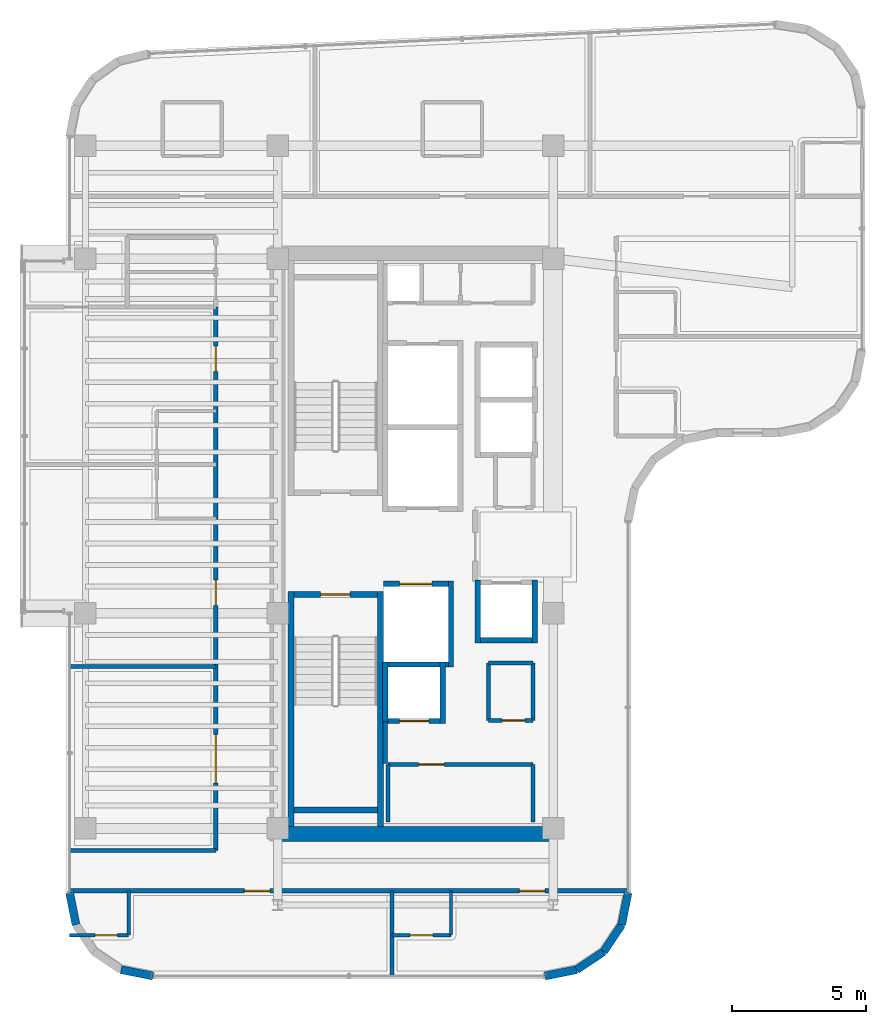
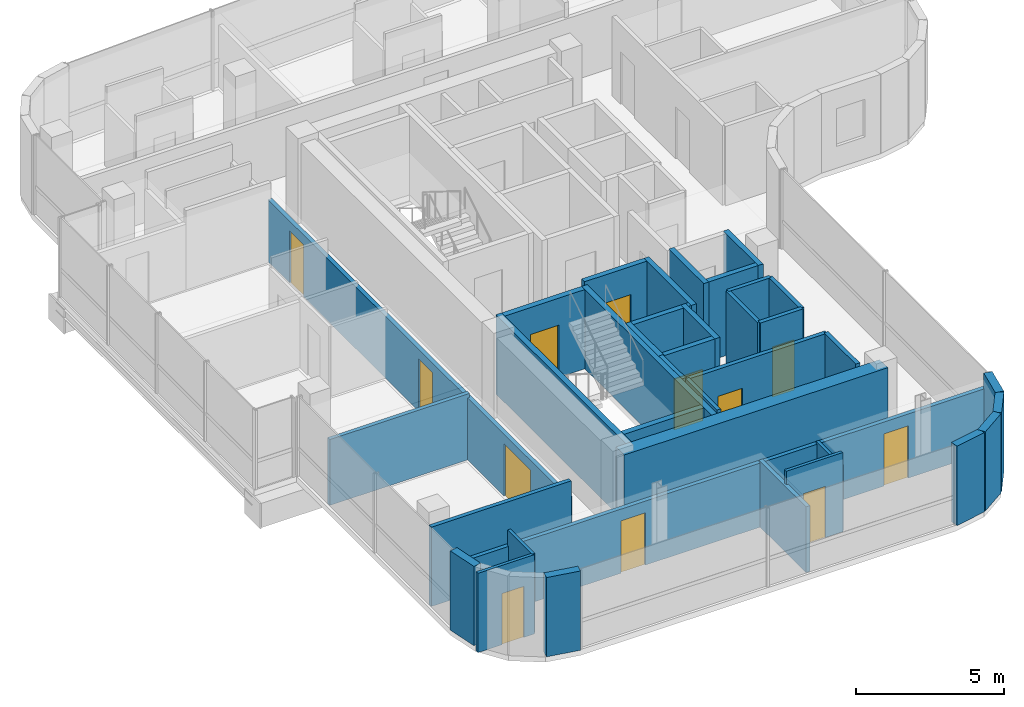
# One storey, part 14 of 20: 37 walls, 12 doors, 12 openings.
"""IFC4 building model written with IfcOpenShell, lengths in metres."""

from ifc_helpers import new_model, si_unit, direction, frame, frame_2d, origin, place, context, subcontext, project, spatial, rectangle, extrude, material, layer, layer_set, type_object, element, fill, save


model = new_model("IFC4")

# Units and contexts
model_context = context("Model", 3, precision=1e-05, world=origin(), true_north=direction((0.0, 1.0)))
body_context = subcontext(model_context, "Body", "Model", "MODEL_VIEW")
ifc_project = project(units=[si_unit("LENGTHUNIT", "METRE"), si_unit("AREAUNIT", "SQUARE_METRE"), si_unit("VOLUMEUNIT", "CUBIC_METRE"), si_unit("PLANEANGLEUNIT", "RADIAN"), si_unit("MASSUNIT", "GRAM", prefix="KILO")], contexts=[model_context])

# Site, building, storey
site_placement = place(None, origin())
site = spatial("IfcSite", under=ifc_project, at=site_placement, CompositionType="ELEMENT")
building_placement = place(site_placement, origin())
building = spatial("IfcBuilding", under=site, at=building_placement, Name="Valdorenza Pilgrim Sanctuary Tower", CompositionType="ELEMENT")
storey_placement = place(building_placement, frame((0.0, 0.0, 240.5)))
storey = spatial("IfcBuildingStorey", under=building, at=storey_placement, Name="L62", CompositionType="ELEMENT", Elevation=240.5)

# Wall
ifc_material_1 = material(Name="Acoustic twin-stud gypsum partition", Category="gypsum")
ifc_layer_1 = layer(ifc_material_1, 0.159912109375, Name="Acoustic twin-stud gypsum partition")
ifc_layer_set_1 = layer_set([ifc_layer_1], Name="Acoustic twin-stud gypsum partition")
wall_type_1 = type_object("IfcWallType", Name="WAL-COR-160", PredefinedType="PARTITIONING", material=ifc_layer_set_1)
wall_1_placement = place(storey_placement, frame((-18.64990234375, -8.179931640625, 0.0), z_axis=(0.0, 0.0, 1.0), x_axis=(0.0, 1.0, 0.0)))
element("IfcWall", 1, at=wall_1_placement, inside=storey, type_object=wall_type_1, Name="L62 Core A South Lift Hall West Wall", PredefinedType="PARTITIONING", context=body_context, shape_type="SweptSolid", body=[
    extrude(rectangle(XDim=1.559814453125, YDim=0.159912109375, at=frame_2d((0.77978515625, 0.0))), origin(), (0.0, 0.0, 1.0), 3.260009765625),
])

# Wall, opening, door
wall_2_placement = place(storey_placement, frame((-18.550048828125, -8.219970703125, 0.0), z_axis=(0.0, 0.0, 1.0), x_axis=(1.0, 0.0, 0.0)))
wall_2 = element("IfcWall", 2, at=wall_2_placement, inside=storey, type_object=wall_type_1, Name="L62 Freed Shaft 1 North Wall", PredefinedType="PARTITIONING", context=body_context, shape_type="SweptSolid", body=[
    extrude(rectangle(XDim=5.400146484375, YDim=0.159912109375, at=frame_2d((2.7001953125, 0.0))), origin(), (0.0, 0.0, 1.0), 3.260009765625),
])
opening_1_placement = place(wall_2_placement, frame((1.14990234375, 0.0, 0.0)))
opening_1 = element("IfcOpeningElement", 3, at=opening_1_placement, cuts=wall_2, Name="Opening DR-UN1", PredefinedType="OPENING", context=body_context, shape_type="SweptSolid", body=[
    extrude(rectangle(XDim=0.949951171875, YDim=2.14990234375, at=frame_2d((0.47509765625, 1.074951171875))), frame((0.0, 0.0947265625, 0.0), z_axis=(0.0, -1.0, 0.0), x_axis=(1.0, 0.0, 0.0)), (0.0, 0.0, 1.0), 0.189697265625),
])
ifc_material_2 = material(Name="Solid-core European oak timber", Category="wood")
door_type_1 = type_object("IfcDoorType", Name="DR-UNIT-950", OperationType="NOTDEFINED", PredefinedType="DOOR", material=ifc_material_2)
door_1_placement = place(opening_1_placement, origin())
door_1 = element("IfcDoor", 4, at=door_1_placement, inside=storey, type_object=door_type_1, Name="L62 Back-of-House Linen Store Door", OperationType="SINGLE_SWING_RIGHT", OverallHeight=2.14990234375, OverallWidth=0.949951171875, PredefinedType="DOOR", context=body_context, shape_type="SweptSolid", body=[
    extrude(rectangle(XDim=0.949951171875, YDim=2.14990234375, at=frame_2d((0.47509765625, 1.074951171875))), frame((0.0, 0.02490234375, 0.0), z_axis=(0.0, -1.0, 0.0), x_axis=(1.0, 0.0, 0.0)), (0.0, 0.0, 1.0), 0.050048828125),
])
fill(opening_1, door_1)

# Wall
wall_3_placement = place(storey_placement, frame((-13.14990234375, -10.35009765625, 0.0), z_axis=(0.0, 0.0, 1.0), x_axis=(0.0, 1.0, 0.0)))
element("IfcWall", 5, at=wall_3_placement, inside=storey, type_object=wall_type_1, Name="L62 Freed Shaft 1 East Wall", PredefinedType="PARTITIONING", context=body_context, shape_type="SweptSolid", body=[
    extrude(rectangle(XDim=2.130126953125, YDim=0.159912109375, at=frame_2d((1.06494140625, 0.0))), origin(), (0.0, 0.0, 1.0), 3.260009765625),
])

# Wall, opening, door
wall_4_placement = place(storey_placement, frame((-14.800048828125, -6.580078125, 0.0), z_axis=(0.0, 0.0, 1.0), x_axis=(1.0, 0.0, 0.0)))
wall_4 = element("IfcWall", 6, at=wall_4_placement, inside=storey, type_object=wall_type_1, Name="L62 Freed Shaft 2 South Wall", PredefinedType="PARTITIONING", context=body_context, shape_type="SweptSolid", body=[
    extrude(rectangle(XDim=1.650146484375, YDim=0.159912109375, at=frame_2d((0.8251953125, 0.0))), origin(), (0.0, 0.0, 1.0), 3.260009765625),
])
opening_2_placement = place(wall_4_placement, frame((0.5, 0.0, 0.0)))
opening_2 = element("IfcOpeningElement", 7, at=opening_2_placement, cuts=wall_4, Name="Opening DR-RS1", PredefinedType="OPENING", context=body_context, shape_type="SweptSolid", body=[
    extrude(rectangle(XDim=0.85009765625, YDim=2.050048828125, at=frame_2d((0.425048828125, 1.02490234375))), frame((0.0, 0.0947265625, 0.0), z_axis=(0.0, -1.0, 0.0), x_axis=(1.0, 0.0, 0.0)), (0.0, 0.0, 1.0), 0.189697265625),
])
ifc_material_3 = material(Name="Painted galvanized steel", Category="steel")
door_type_2 = type_object("IfcDoorType", Name="DR-RSR-850", OperationType="NOTDEFINED", PredefinedType="DOOR", material=ifc_material_3)
door_2_placement = place(opening_2_placement, origin())
door_2 = element("IfcDoor", 8, at=door_2_placement, inside=storey, type_object=door_type_2, Name="L62 Guest Tea Pantry Door", OperationType="SINGLE_SWING_LEFT", OverallHeight=2.050048828125, OverallWidth=0.85009765625, PredefinedType="DOOR", context=body_context, shape_type="SweptSolid", body=[
    extrude(rectangle(XDim=0.85009765625, YDim=2.050048828125, at=frame_2d((0.425048828125, 1.02490234375))), frame((0.0, 0.02490234375, 0.0), z_axis=(0.0, -1.0, 0.0), x_axis=(1.0, 0.0, 0.0)), (0.0, 0.0, 1.0), 0.050048828125),
])
fill(opening_2, door_2)

# Wall
wall_5_placement = place(storey_placement, frame((-13.14990234375, -6.580078125, 0.0), z_axis=(0.0, 0.0, 1.0), x_axis=(0.0, 1.0, 0.0)))
element("IfcWall", 9, at=wall_5_placement, inside=storey, type_object=wall_type_1, Name="L62 Freed Shaft 2 East Wall", PredefinedType="PARTITIONING", context=body_context, shape_type="SweptSolid", body=[
    extrude(rectangle(XDim=2.130126953125, YDim=0.159912109375, at=frame_2d((1.06494140625, 0.0))), origin(), (0.0, 0.0, 1.0), 3.260009765625),
])

# Wall, openings, doors
wall_6_placement = place(storey_placement, frame((-24.949951171875, -11.419921875, 0.0), z_axis=(0.0, 0.0, 1.0), x_axis=(0.0, 1.0, 0.0)))
wall_6 = element("IfcWall", 10, at=wall_6_placement, inside=storey, type_object=wall_type_1, Name="L62 West Wing Corridor Wall", PredefinedType="PARTITIONING", context=body_context, shape_type="SweptSolid", body=[
    extrude(rectangle(XDim=20.219970703125, YDim=0.159912109375, at=frame_2d((10.10986328125, 0.0))), origin(), (0.0, 0.0, 1.0), 2.5439453125),
])
opening_3_placement = place(wall_6_placement, frame((2.52099609375, 0.0, 0.0)))
opening_3 = element("IfcOpeningElement", 11, at=opening_3_placement, cuts=wall_6, Name="Opening DR-HL1", PredefinedType="OPENING", context=body_context, shape_type="SweptSolid", body=[
    extrude(rectangle(XDim=1.800048828125, YDim=2.14990234375, at=frame_2d((0.89990234375, 1.074951171875))), frame((0.0, 0.0947265625, 0.0), z_axis=(0.0, -1.0, 0.0), x_axis=(1.0, 0.0, 0.0)), (0.0, 0.0, 1.0), 0.189697265625),
])
opening_4_placement = place(wall_6_placement, frame((9.1240234375, 0.0, 0.0)))
opening_4 = element("IfcOpeningElement", 12, at=opening_4_placement, cuts=wall_6, Name="Opening DR-UN1", PredefinedType="OPENING", context=body_context, shape_type="SweptSolid", body=[
    extrude(rectangle(XDim=0.949951171875, YDim=2.14990234375, at=frame_2d((0.47509765625, 1.074951171875))), frame((0.0, 0.0947265625, 0.0), z_axis=(0.0, -1.0, 0.0), x_axis=(1.0, 0.0, 0.0)), (0.0, 0.0, 1.0), 0.189697265625),
])
opening_5_placement = place(wall_6_placement, frame((17.81298828125, 0.0, 0.0)))
opening_5 = element("IfcOpeningElement", 13, at=opening_5_placement, cuts=wall_6, Name="Opening DR-UN1", PredefinedType="OPENING", context=body_context, shape_type="SweptSolid", body=[
    extrude(rectangle(XDim=0.949951171875, YDim=2.14990234375, at=frame_2d((0.47509765625, 1.074951171875))), frame((0.0, 0.0947265625, 0.0), z_axis=(0.0, -1.0, 0.0), x_axis=(1.0, 0.0, 0.0)), (0.0, 0.0, 1.0), 0.189697265625),
])
ifc_material_4 = material(Name="Acoustic oak and vision-glass double door", Category="glass")
door_type_3 = type_object("IfcDoorType", Name="DR-HALL-1800", OperationType="NOTDEFINED", PredefinedType="DOOR", material=ifc_material_4)
door_3_placement = place(opening_3_placement, origin())
door_3 = element("IfcDoor", 14, at=door_3_placement, inside=storey, type_object=door_type_3, Name="L62 Pilgrim Language Classroom L62 Door", OperationType="DOUBLE_DOOR_SINGLE_SWING", OverallHeight=2.14990234375, OverallWidth=1.800048828125, PredefinedType="DOOR", context=body_context, shape_type="SweptSolid", body=[
    extrude(rectangle(XDim=1.800048828125, YDim=2.14990234375, at=frame_2d((0.89990234375, 1.074951171875))), frame((0.0, 0.02490234375, 0.0), z_axis=(0.0, -1.0, 0.0), x_axis=(1.0, 0.0, 0.0)), (0.0, 0.0, 1.0), 0.050048828125),
])
fill(opening_3, door_3)
door_4_placement = place(opening_4_placement, frame((0.949951171875, 0.0, 0.0), z_axis=(0.0, 0.0, 1.0), x_axis=(-1.0, 0.0, 0.0)))
door_4 = element("IfcDoor", 15, at=door_4_placement, inside=storey, type_object=door_type_1, Name="L62 Pilgrim Guest Room L62-HW1 Entrance Door", OperationType="SINGLE_SWING_LEFT", OverallHeight=2.14990234375, OverallWidth=0.949951171875, PredefinedType="DOOR", context=body_context, shape_type="SweptSolid", body=[
    extrude(rectangle(XDim=0.949951171875, YDim=2.14990234375, at=frame_2d((0.47509765625, 1.074951171875))), frame((0.0, 0.02490234375, 0.0), z_axis=(0.0, -1.0, 0.0), x_axis=(1.0, 0.0, 0.0)), (0.0, 0.0, 1.0), 0.050048828125),
])
fill(opening_4, door_4)
door_5_placement = place(opening_5_placement, frame((0.949951171875, 0.0, 0.0), z_axis=(0.0, 0.0, 1.0), x_axis=(-1.0, 0.0, 0.0)))
door_5 = element("IfcDoor", 16, at=door_5_placement, inside=storey, type_object=door_type_1, Name="L62 Pilgrim Guest Room L62-HW2 Entrance Door", OperationType="SINGLE_SWING_LEFT", OverallHeight=2.14990234375, OverallWidth=0.949951171875, PredefinedType="DOOR", context=body_context, shape_type="SweptSolid", body=[
    extrude(rectangle(XDim=0.949951171875, YDim=2.14990234375, at=frame_2d((0.47509765625, 1.074951171875))), frame((0.0, 0.02490234375, 0.0), z_axis=(0.0, -1.0, 0.0), x_axis=(1.0, 0.0, 0.0)), (0.0, 0.0, 1.0), 0.050048828125),
])
fill(opening_5, door_5)

wall_7_placement = place(storey_placement, frame((-30.389892578125, -12.919921875, 0.0), z_axis=(0.0, 0.0, 1.0), x_axis=(1.0, 0.0, 0.0)))
wall_7 = element("IfcWall", 17, at=wall_7_placement, inside=storey, type_object=wall_type_1, Name="L62 South Wing Corridor Wall", PredefinedType="PARTITIONING", context=body_context, shape_type="SweptSolid", body=[
    extrude(rectangle(XDim=20.77978515625, YDim=0.159912109375, at=frame_2d((10.389892578125, 0.0))), origin(), (0.0, 0.0, 1.0), 2.634033203125),
])
opening_6_placement = place(wall_7_placement, frame((6.5, 0.0, 0.0)))
opening_6 = element("IfcOpeningElement", 18, at=opening_6_placement, cuts=wall_7, Name="Opening DR-UN1", PredefinedType="OPENING", context=body_context, shape_type="SweptSolid", body=[
    extrude(rectangle(XDim=0.949951171875, YDim=2.14990234375, at=frame_2d((0.47509765625, 1.074951171875))), frame((0.0, 0.0947265625, 0.0), z_axis=(0.0, -1.0, 0.0), x_axis=(1.0, 0.0, 0.0)), (0.0, 0.0, 1.0), 0.189697265625),
])
opening_7_placement = place(wall_7_placement, frame((16.72998046875, 0.0, 0.0)))
opening_7 = element("IfcOpeningElement", 19, at=opening_7_placement, cuts=wall_7, Name="Opening DR-UN1", PredefinedType="OPENING", context=body_context, shape_type="SweptSolid", body=[
    extrude(rectangle(XDim=0.949951171875, YDim=2.14990234375, at=frame_2d((0.47509765625, 1.074951171875))), frame((0.0, 0.0947265625, 0.0), z_axis=(0.0, -1.0, 0.0), x_axis=(1.0, 0.0, 0.0)), (0.0, 0.0, 1.0), 0.189697265625),
])
door_6_placement = place(opening_6_placement, frame((0.949951171875, 0.0, 0.0), z_axis=(0.0, 0.0, 1.0), x_axis=(-1.0, 0.0, 0.0)))
door_6 = element("IfcDoor", 20, at=door_6_placement, inside=storey, type_object=door_type_1, Name="L62 South Guest Room L62-S1 Entrance Door", OperationType="SINGLE_SWING_LEFT", OverallHeight=2.14990234375, OverallWidth=0.949951171875, PredefinedType="DOOR", context=body_context, shape_type="SweptSolid", body=[
    extrude(rectangle(XDim=0.949951171875, YDim=2.14990234375, at=frame_2d((0.47509765625, 1.074951171875))), frame((0.0, 0.02490234375, 0.0), z_axis=(0.0, -1.0, 0.0), x_axis=(1.0, 0.0, 0.0)), (0.0, 0.0, 1.0), 0.050048828125),
])
fill(opening_6, door_6)
door_7_placement = place(opening_7_placement, frame((0.949951171875, 0.0, 0.0), z_axis=(0.0, 0.0, 1.0), x_axis=(-1.0, 0.0, 0.0)))
door_7 = element("IfcDoor", 21, at=door_7_placement, inside=storey, type_object=door_type_1, Name="L62 South Guest Room L62-S2 Entrance Door", OperationType="SINGLE_SWING_LEFT", OverallHeight=2.14990234375, OverallWidth=0.949951171875, PredefinedType="DOOR", context=body_context, shape_type="SweptSolid", body=[
    extrude(rectangle(XDim=0.949951171875, YDim=2.14990234375, at=frame_2d((0.47509765625, 1.074951171875))), frame((0.0, 0.02490234375, 0.0), z_axis=(0.0, -1.0, 0.0), x_axis=(1.0, 0.0, 0.0)), (0.0, 0.0, 1.0), 0.050048828125),
])
fill(opening_7, door_7)

# Walls
wall_8_placement = place(storey_placement, frame((-30.389892578125, -11.419921875, 0.0), z_axis=(0.0, 0.0, 1.0), x_axis=(1.0, 0.0, 0.0)))
element("IfcWall", 22, at=wall_8_placement, inside=storey, type_object=wall_type_1, Name="L62 South-West Corridor North Wall", PredefinedType="PARTITIONING", context=body_context, shape_type="SweptSolid", body=[
    extrude(rectangle(XDim=5.43994140625, YDim=0.159912109375, at=frame_2d((2.719970703125, 0.0))), origin(), (0.0, 0.0, 1.0), 3.260009765625),
])
ifc_material_5 = material(Name="Concrete C50/60", Category="concrete")
ifc_layer_2 = layer(ifc_material_5, 0.550048828125, Name="Concrete C50/60")
ifc_layer_set_2 = layer_set([ifc_layer_2], Name="Concrete C50/60")
wall_type_2 = type_object("IfcWallType", Name="WAL-COR-550", PredefinedType="SHEAR", material=ifc_layer_set_2)
wall_9_placement = place(storey_placement, frame((-22.64990234375, -10.800048828125, 0.0), z_axis=(0.0, 0.0, 1.0), x_axis=(1.0, 0.0, 0.0)))
element("IfcWall", 23, at=wall_9_placement, inside=storey, type_object=wall_type_2, Name="L62 Split Core A Shear Wall S", PredefinedType="SHEAR", context=body_context, shape_type="SweptSolid", body=[
    extrude(rectangle(XDim=10.25, YDim=0.550048828125, at=frame_2d((5.125, 0.0))), origin(), (0.0, 0.0, 1.0), 3.260009765625),
])
ifc_material_6 = material(Name="Honed travertine limestone", Category="masonry")
ifc_layer_3 = layer(ifc_material_6, 0.300048828125, Name="Honed travertine limestone")
ifc_layer_set_3 = layer_set([ifc_layer_3], Name="Honed travertine limestone")
wall_type_3 = type_object("IfcWallType", Name="WAL-EXT-300", PredefinedType="SOLIDWALL", material=ifc_layer_set_3)
wall_10_placement = place(storey_placement, frame((-9.610107421875, -12.9892578125, 0.0), z_axis=(0.0, 0.0, 1.0), x_axis=(-0.194996050505, -0.980804027463, 0.0)))
element("IfcWall", 24, at=wall_10_placement, inside=storey, type_object=wall_type_3, Name="L62 Rounded Wind-Corner Stone Pier 22", PredefinedType="SOLIDWALL", context=body_context, shape_type="SweptSolid", body=[
    extrude(rectangle(XDim=1.2158203125, YDim=0.300048828125, at=frame_2d((0.60791015625, 0.0))), origin(), (0.0, 0.0, 1.0), 3.260009765625),
])
for number, where, z_axis, x_axis, name in (
    (25, (-9.84716796875, -14.181640625, 0.0), (0.0, 0.0, 1.0), (-0.555635100982, -0.831426265255, 0.0), "L62 Rounded Wind-Corner Stone Pier 23"),
    (26, (-10.5166015625, -15.183349609375, 0.0), (0.0, 0.0, 1.0), (-0.831426265255, -0.555635100982, 0.0), "L62 Rounded Wind-Corner Stone Pier 24"),
):
    element("IfcWall", number, at=place(storey_placement, frame(where, z_axis=z_axis, x_axis=x_axis)), inside=storey, type_object=wall_type_3, Name=name, PredefinedType="SOLIDWALL", context=body_context, shape_type="SweptSolid", body=[
        extrude(rectangle(XDim=1.204833984375, YDim=0.300048828125, at=frame_2d((0.6025390625, 0.0))), origin(), (0.0, 0.0, 1.0), 3.260009765625),
    ])
for number, where, z_axis, x_axis, name in (
    (27, (-11.518310546875, -15.852783203125, 0.0), (0.0, 0.0, 1.0), (-0.980765602568, -0.195189223115, 0.0), "L62 Rounded Wind-Corner Stone Pier 25"),
    (28, (-27.289306640625, -16.090087890625, 0.0), (0.0, 0.0, 1.0), (-0.980765602568, 0.195189223115, 0.0), "L62 Rounded Wind-Corner Stone Pier 27"),
    (29, (-30.15283203125, -14.181640625, 0.0), (0.0, 0.0, 1.0), (-0.194996050505, 0.980804027463, 0.0), "L62 Rounded Wind-Corner Stone Pier 30"),
):
    element("IfcWall", number, at=place(storey_placement, frame(where, z_axis=z_axis, x_axis=x_axis)), inside=storey, type_object=wall_type_3, Name=name, PredefinedType="SOLIDWALL", context=body_context, shape_type="SweptSolid", body=[
        extrude(rectangle(XDim=1.2158203125, YDim=0.300048828125, at=frame_2d((0.60791015625, 0.0))), origin(), (0.0, 0.0, 1.0), 3.260009765625),
    ])
ifc_material_7 = material(Name="Moisture-resistant gypsum partition", Category="gypsum")
ifc_layer_4 = layer(ifc_material_7, 0.1201171875, Name="Moisture-resistant gypsum partition")
ifc_layer_set_4 = layer_set([ifc_layer_4], Name="Moisture-resistant gypsum partition")
wall_type_4 = type_object("IfcWallType", Name="WAL-INT-120", PredefinedType="PARTITIONING", material=ifc_layer_set_4)
wall_11_placement = place(storey_placement, frame((-28.18994140625, -14.570068359375, 0.0), z_axis=(0.0, 0.0, 1.0), x_axis=(0.0, 1.0, 0.0)))
element("IfcWall", 30, at=wall_11_placement, inside=storey, type_object=wall_type_4, Name="L62 South Guest Room L62-S1 En-suite East Wall", PredefinedType="PARTITIONING", context=body_context, shape_type="SweptSolid", body=[
    extrude(rectangle(XDim=1.650146484375, YDim=0.1201171875, at=frame_2d((0.8251953125, 0.0))), origin(), (0.0, 0.0, 1.0), 3.260009765625),
])

# Wall, opening, door
wall_12_placement = place(storey_placement, frame((-30.389892578125, -14.570068359375, 0.0), z_axis=(0.0, 0.0, 1.0), x_axis=(1.0, 0.0, 0.0)))
wall_12 = element("IfcWall", 31, at=wall_12_placement, inside=storey, type_object=wall_type_4, Name="L62 South Guest Room L62-S1 En-suite Door Wall", PredefinedType="PARTITIONING", context=body_context, shape_type="SweptSolid", body=[
    extrude(rectangle(XDim=2.199951171875, YDim=0.1201171875, at=frame_2d((1.10009765625, 0.0))), origin(), (0.0, 0.0, 1.0), 3.260009765625),
])
opening_8_placement = place(wall_12_placement, frame((0.93994140625, 0.0, 0.0)))
opening_8 = element("IfcOpeningElement", 32, at=opening_8_placement, cuts=wall_12, Name="Opening DR-WC1", PredefinedType="OPENING", context=body_context, shape_type="SweptSolid", body=[
    extrude(rectangle(XDim=0.85009765625, YDim=2.10009765625, at=frame_2d((0.425048828125, 1.050048828125))), frame((0.0, 0.074951171875, 0.0), z_axis=(0.0, -1.0, 0.0), x_axis=(1.0, 0.0, 0.0)), (0.0, 0.0, 1.0), 0.14990234375),
])
ifc_material_8 = material(Name="Moisture-resistant lacquered timber", Category="wood")
door_type_4 = type_object("IfcDoorType", Name="DR-BATH-850", OperationType="NOTDEFINED", PredefinedType="DOOR", material=ifc_material_8)
door_8_placement = place(opening_8_placement, origin())
door_8 = element("IfcDoor", 33, at=door_8_placement, inside=storey, type_object=door_type_4, Name="L62 South Guest Room L62-S1 En-suite Bathroom Door", OperationType="SINGLE_SWING_RIGHT", OverallHeight=2.10009765625, OverallWidth=0.85009765625, PredefinedType="DOOR", context=body_context, shape_type="SweptSolid", body=[
    extrude(rectangle(XDim=0.85009765625, YDim=2.10009765625, at=frame_2d((0.425048828125, 1.050048828125))), frame((0.0, 0.02490234375, 0.0), z_axis=(0.0, -1.0, 0.0), x_axis=(1.0, 0.0, 0.0)), (0.0, 0.0, 1.0), 0.050048828125),
])
fill(opening_8, door_8)

# Wall
wall_13_placement = place(storey_placement, frame((-16.199951171875, -14.570068359375, 0.0), z_axis=(0.0, 0.0, 1.0), x_axis=(0.0, 1.0, 0.0)))
element("IfcWall", 34, at=wall_13_placement, inside=storey, type_object=wall_type_4, Name="L62 South Guest Room L62-S2 En-suite East Wall", PredefinedType="PARTITIONING", context=body_context, shape_type="SweptSolid", body=[
    extrude(rectangle(XDim=1.650146484375, YDim=0.1201171875, at=frame_2d((0.8251953125, 0.0))), origin(), (0.0, 0.0, 1.0), 2.7060546875),
])

# Wall, opening, door
wall_14_placement = place(storey_placement, frame((-18.39990234375, -14.570068359375, 0.0), z_axis=(0.0, 0.0, 1.0), x_axis=(1.0, 0.0, 0.0)))
wall_14 = element("IfcWall", 35, at=wall_14_placement, inside=storey, type_object=wall_type_4, Name="L62 South Guest Room L62-S2 En-suite Door Wall", PredefinedType="PARTITIONING", context=body_context, shape_type="SweptSolid", body=[
    extrude(rectangle(XDim=2.199951171875, YDim=0.1201171875, at=frame_2d((1.10009765625, 0.0))), origin(), (0.0, 0.0, 1.0), 3.260009765625),
])
opening_9_placement = place(wall_14_placement, frame((0.675048828125, 0.0, 0.0)))
opening_9 = element("IfcOpeningElement", 36, at=opening_9_placement, cuts=wall_14, Name="Opening DR-WC1", PredefinedType="OPENING", context=body_context, shape_type="SweptSolid", body=[
    extrude(rectangle(XDim=0.85009765625, YDim=2.10009765625, at=frame_2d((0.425048828125, 1.050048828125))), frame((0.0, 0.074951171875, 0.0), z_axis=(0.0, -1.0, 0.0), x_axis=(1.0, 0.0, 0.0)), (0.0, 0.0, 1.0), 0.14990234375),
])
door_9_placement = place(opening_9_placement, origin())
door_9 = element("IfcDoor", 37, at=door_9_placement, inside=storey, type_object=door_type_4, Name="L62 South Guest Room L62-S2 En-suite Bathroom Door", OperationType="SINGLE_SWING_RIGHT", OverallHeight=2.10009765625, OverallWidth=0.85009765625, PredefinedType="DOOR", context=body_context, shape_type="SweptSolid", body=[
    extrude(rectangle(XDim=0.85009765625, YDim=2.10009765625, at=frame_2d((0.425048828125, 1.050048828125))), frame((0.0, 0.02490234375, 0.0), z_axis=(0.0, -1.0, 0.0), x_axis=(1.0, 0.0, 0.0)), (0.0, 0.0, 1.0), 0.050048828125),
])
fill(opening_9, door_9)

# Walls
ifc_material_9 = material(Name="Autoclaved aerated concrete blockwork", Category="masonry")
ifc_layer_5 = layer(ifc_material_9, 0.199951171875, Name="Autoclaved aerated concrete blockwork")
ifc_layer_set_5 = layer_set([ifc_layer_5], Name="Autoclaved aerated concrete blockwork")
wall_type_5 = type_object("IfcWallType", Name="WAL-SHF-200", PredefinedType="MOVABLE", material=ifc_layer_set_5)
wall_15_placement = place(storey_placement, frame((-16.199951171875, -4.60009765625, 0.0), z_axis=(0.0, 0.0, 1.0), x_axis=(0.0, 1.0, 0.0)))
element("IfcWall", 38, at=wall_15_placement, inside=storey, type_object=wall_type_5, Name="L62 Lift FFL-02 Hoistway Wall East", PredefinedType="MOVABLE", context=body_context, shape_type="SweptSolid", body=[
    extrude(rectangle(XDim=3.2001953125, YDim=0.199951171875, at=frame_2d((1.60009765625, 0.0))), origin(), (0.0, 0.0, 1.0), 3.260009765625),
])
wall_16_placement = place(storey_placement, frame((-18.719970703125, -4.5, 0.0), z_axis=(0.0, 0.0, 1.0), x_axis=(1.0, 0.0, 0.0)))
element("IfcWall", 39, at=wall_16_placement, inside=storey, type_object=wall_type_5, Name="L62 Lift FFL-02 Hoistway Wall South", PredefinedType="MOVABLE", context=body_context, shape_type="SweptSolid", body=[
    extrude(rectangle(XDim=2.419921875, YDim=0.199951171875, at=frame_2d((1.2099609375, 0.0))), origin(), (0.0, 0.0, 1.0), 3.260009765625),
])

# Wall, opening, door
wall_17_placement = place(storey_placement, frame((-18.719970703125, -1.5, 0.0), z_axis=(0.0, 0.0, 1.0), x_axis=(1.0, 0.0, 0.0)))
wall_17 = element("IfcWall", 40, at=wall_17_placement, inside=storey, type_object=wall_type_5, Name="L62 Lift FFL-02 Hoistway Wall North", PredefinedType="MOVABLE", context=body_context, shape_type="SweptSolid", body=[
    extrude(rectangle(XDim=2.419921875, YDim=0.199951171875, at=frame_2d((1.2099609375, 0.0))), origin(), (0.0, 0.0, 1.0), 3.260009765625),
])
opening_10_placement = place(wall_17_placement, frame((0.610107421875, 0.0, 0.0)))
opening_10 = element("IfcOpeningElement", 41, at=opening_10_placement, cuts=wall_17, Name="Opening LD-02", PredefinedType="OPENING", context=body_context, shape_type="SweptSolid", body=[
    extrude(rectangle(XDim=1.199951171875, YDim=2.10009765625, at=frame_2d((0.60009765625, 1.050048828125))), frame((0.0, 0.11474609375, 0.0), z_axis=(0.0, -1.0, 0.0), x_axis=(1.0, 0.0, 0.0)), (0.0, 0.0, 1.0), 0.229736328125),
])
ifc_material_10 = material(Name="Brushed stainless steel Grade 316", Category="steel")
door_type_5 = type_object("IfcDoorType", Name="DR-LFT-1200", OperationType="DOUBLE_DOOR_SLIDING", PredefinedType="DOOR", material=ifc_material_10)
door_10_placement = place(opening_10_placement, origin())
door_10 = element("IfcDoor", 42, at=door_10_placement, inside=storey, type_object=door_type_5, Name="L62 Lift FFL-02 Sliding Landing Door", OperationType="DOUBLE_DOOR_SLIDING", OverallHeight=2.10009765625, OverallWidth=1.199951171875, PredefinedType="DOOR", context=body_context, shape_type="SweptSolid", body=[
    extrude(rectangle(XDim=1.199951171875, YDim=2.10009765625, at=frame_2d((0.60009765625, 1.050048828125))), frame((0.0, 0.02490234375, 0.0), z_axis=(0.0, -1.0, 0.0), x_axis=(1.0, 0.0, 0.0)), (0.0, 0.0, 1.0), 0.050048828125),
])
fill(opening_10, door_10)

# Walls
for number, where, z_axis, x_axis, name in (
    (43, (-18.64990234375, -6.699951171875, 0.0), (0.0, 0.0, 1.0), (0.0, 1.0, 0.0), "L62 Lift PL-11 Hoistway Wall West"),
    (44, (-16.5, -6.699951171875, 0.0), (0.0, 0.0, 1.0), (0.0, 1.0, 0.0), "L62 Lift PL-11 Hoistway Wall East"),
):
    element("IfcWall", number, at=place(storey_placement, frame(where, z_axis=z_axis, x_axis=x_axis)), inside=storey, type_object=wall_type_5, Name=name, PredefinedType="MOVABLE", context=body_context, shape_type="SweptSolid", body=[
        extrude(rectangle(XDim=2.300048828125, YDim=0.199951171875, at=frame_2d((1.14990234375, 0.0))), origin(), (0.0, 0.0, 1.0), 3.260009765625),
    ])

# Wall, opening, door
wall_18_placement = place(storey_placement, frame((-18.550048828125, -6.60009765625, 0.0), z_axis=(0.0, 0.0, 1.0), x_axis=(1.0, 0.0, 0.0)))
wall_18 = element("IfcWall", 45, at=wall_18_placement, inside=storey, type_object=wall_type_5, Name="L62 Lift PL-11 Hoistway Wall South", PredefinedType="MOVABLE", context=body_context, shape_type="SweptSolid", body=[
    extrude(rectangle(XDim=1.949951171875, YDim=0.199951171875, at=frame_2d((0.97509765625, 0.0))), origin(), (0.0, 0.0, 1.0), 3.260009765625),
])
opening_11_placement = place(wall_18_placement, frame((0.425048828125, 0.0, 0.0)))
opening_11 = element("IfcOpeningElement", 46, at=opening_11_placement, cuts=wall_18, Name="Opening LD-01", PredefinedType="OPENING", context=body_context, shape_type="SweptSolid", body=[
    extrude(rectangle(XDim=1.10009765625, YDim=2.10009765625, at=frame_2d((0.550048828125, 1.050048828125))), frame((0.0, 0.11474609375, 0.0), z_axis=(0.0, -1.0, 0.0), x_axis=(1.0, 0.0, 0.0)), (0.0, 0.0, 1.0), 0.229736328125),
])
door_type_6 = type_object("IfcDoorType", Name="DR-LFT-1100", OperationType="DOUBLE_DOOR_SLIDING", PredefinedType="DOOR", material=ifc_material_10)
door_11_placement = place(opening_11_placement, origin())
door_11 = element("IfcDoor", 47, at=door_11_placement, inside=storey, type_object=door_type_6, Name="L62 Lift PL-11 Sliding Landing Door", OperationType="DOUBLE_DOOR_SLIDING", OverallHeight=2.10009765625, OverallWidth=1.10009765625, PredefinedType="DOOR", context=body_context, shape_type="SweptSolid", body=[
    extrude(rectangle(XDim=1.10009765625, YDim=2.10009765625, at=frame_2d((0.550048828125, 1.050048828125))), frame((0.0, 0.02490234375, 0.0), z_axis=(0.0, -1.0, 0.0), x_axis=(1.0, 0.0, 0.0)), (0.0, 0.0, 1.0), 0.050048828125),
])
fill(opening_11, door_11)

# Walls
for number, where, z_axis, x_axis, name in (
    (48, (-15.199951171875, -3.699951171875, 0.0), (0.0, 0.0, 1.0), (0.0, 1.0, 0.0), "L62 Lift PL-12 Hoistway Wall West"),
    (49, (-13.080078125, -3.699951171875, 0.0), (0.0, 0.0, 1.0), (0.0, 1.0, 0.0), "L62 Lift PL-12 Hoistway Wall East"),
):
    element("IfcWall", number, at=place(storey_placement, frame(where, z_axis=z_axis, x_axis=x_axis)), inside=storey, type_object=wall_type_5, Name=name, PredefinedType="MOVABLE", context=body_context, shape_type="SweptSolid", body=[
        extrude(rectangle(XDim=2.349853515625, YDim=0.199951171875, at=frame_2d((1.1748046875, 0.0))), origin(), (0.0, 0.0, 1.0), 3.260009765625),
    ])
wall_19_placement = place(storey_placement, frame((-15.10009765625, -3.60009765625, 0.0), z_axis=(0.0, 0.0, 1.0), x_axis=(1.0, 0.0, 0.0)))
element("IfcWall", 50, at=wall_19_placement, inside=storey, type_object=wall_type_5, Name="L62 Lift PL-12 Hoistway Wall South", PredefinedType="MOVABLE", context=body_context, shape_type="SweptSolid", body=[
    extrude(rectangle(XDim=1.920166015625, YDim=0.199951171875, at=frame_2d((0.9599609375, 0.0))), origin(), (0.0, 0.0, 1.0), 3.260009765625),
])
ifc_material_11 = material(Name="Concrete C40/50", Category="concrete")
ifc_layer_6 = layer(ifc_material_11, 0.219970703125, Name="Concrete C40/50")
ifc_layer_set_6 = layer_set([ifc_layer_6], Name="Concrete C40/50")
wall_type_6 = type_object("IfcWallType", Name="WAL-STR-SHF-220", PredefinedType="SHEAR", material=ifc_layer_set_6)
for number, where, z_axis, x_axis, name in (
    (51, (-22.159912109375, -10.52490234375, 0.0), (0.0, 0.0, 1.0), (0.0, 1.0, 0.0), "L62 ST-A2 Structural Stairwell Wall W"),
    (52, (-18.830078125, -10.52490234375, 0.0), (0.0, 0.0, 1.0), (0.0, 1.0, 0.0), "L62 ST-A2 Structural Stairwell Wall E"),
):
    element("IfcWall", number, at=place(storey_placement, frame(where, z_axis=z_axis, x_axis=x_axis)), inside=storey, type_object=wall_type_6, Name=name, PredefinedType="SHEAR", context=body_context, shape_type="SweptSolid", body=[
        extrude(rectangle(XDim=8.744873046875, YDim=0.219970703125, at=frame_2d((4.37255859375, 0.0))), origin(), (0.0, 0.0, 1.0), 3.260009765625),
    ])
wall_20_placement = place(storey_placement, frame((-22.050048828125, -9.909912109375, 0.0), z_axis=(0.0, 0.0, 1.0), x_axis=(1.0, 0.0, 0.0)))
element("IfcWall", 53, at=wall_20_placement, inside=storey, type_object=wall_type_6, Name="L62 ST-A2 Structural Stairwell Wall S", PredefinedType="SHEAR", context=body_context, shape_type="SweptSolid", body=[
    extrude(rectangle(XDim=3.110107421875, YDim=0.219970703125, at=frame_2d((1.55517578125, 0.0))), origin(), (0.0, 0.0, 1.0), 3.260009765625),
])

# Wall, opening, door
wall_21_placement = place(storey_placement, frame((-22.050048828125, -1.889892578125, 0.0), z_axis=(0.0, 0.0, 1.0), x_axis=(1.0, 0.0, 0.0)))
wall_21 = element("IfcWall", 54, at=wall_21_placement, inside=storey, type_object=wall_type_6, Name="L62 ST-A2 Structural Stairwell Wall N", PredefinedType="SHEAR", context=body_context, shape_type="SweptSolid", body=[
    extrude(rectangle(XDim=3.110107421875, YDim=0.219970703125, at=frame_2d((1.55517578125, 0.0))), origin(), (0.0, 0.0, 1.0), 3.260009765625),
])
opening_12_placement = place(wall_21_placement, frame((1.0, 0.0, 0.0)))
opening_12 = element("IfcOpeningElement", 55, at=opening_12_placement, cuts=wall_21, Name="Opening DR-ST1", PredefinedType="OPENING", context=body_context, shape_type="SweptSolid", body=[
    extrude(rectangle(XDim=1.10009765625, YDim=2.14990234375, at=frame_2d((0.550048828125, 1.074951171875))), frame((0.0, 0.125, 0.0), z_axis=(0.0, -1.0, 0.0), x_axis=(1.0, 0.0, 0.0)), (0.0, 0.0, 1.0), 0.249755859375),
])
door_type_7 = type_object("IfcDoorType", Name="DR-STAIR-1100", OperationType="NOTDEFINED", PredefinedType="DOOR", material=ifc_material_3)
door_12_placement = place(opening_12_placement, origin())
door_12 = element("IfcDoor", 56, at=door_12_placement, inside=storey, type_object=door_type_7, Name="L62 Exit Stair ST-A2 Door", OperationType="SINGLE_SWING_RIGHT", OverallHeight=2.14990234375, OverallWidth=1.10009765625, PredefinedType="DOOR", context=body_context, shape_type="SweptSolid", body=[
    extrude(rectangle(XDim=1.10009765625, YDim=2.14990234375, at=frame_2d((0.550048828125, 1.074951171875))), frame((0.0, 0.02490234375, 0.0), z_axis=(0.0, -1.0, 0.0), x_axis=(1.0, 0.0, 0.0)), (0.0, 0.0, 1.0), 0.050048828125),
])
fill(opening_12, door_12)

# Walls
ifc_layer_7 = layer(ifc_material_1, 0.14990234375, Name="Acoustic twin-stud gypsum partition")
ifc_layer_set_7 = layer_set([ifc_layer_7], Name="Acoustic twin-stud gypsum partition")
wall_type_7 = type_object("IfcWallType", Name="WAL-UNT-150", PredefinedType="PARTITIONING", material=ifc_layer_set_7)
for number, where, z_axis, x_axis, name in (
    (57, (-18.550048828125, -10.35009765625, 0.0), (0.0, 0.0, 1.0), (0.0, 1.0, 0.0), "L62 Freed Shaft 1 West Wall"),
    (58, (-14.800048828125, -6.580078125, 0.0), (0.0, 0.0, 1.0), (0.0, 1.0, 0.0), "L62 Freed Shaft 2 West Wall"),
):
    element("IfcWall", number, at=place(storey_placement, frame(where, z_axis=z_axis, x_axis=x_axis)), inside=storey, type_object=wall_type_7, Name=name, PredefinedType="PARTITIONING", context=body_context, shape_type="SweptSolid", body=[
        extrude(rectangle(XDim=2.130126953125, YDim=0.14990234375, at=frame_2d((1.06494140625, 0.0))), origin(), (0.0, 0.0, 1.0), 3.260009765625),
    ])
wall_22_placement = place(storey_placement, frame((-14.800048828125, -4.449951171875, 0.0), z_axis=(0.0, 0.0, 1.0), x_axis=(1.0, 0.0, 0.0)))
element("IfcWall", 59, at=wall_22_placement, inside=storey, type_object=wall_type_7, Name="L62 Freed Shaft 2 North Wall", PredefinedType="PARTITIONING", context=body_context, shape_type="SweptSolid", body=[
    extrude(rectangle(XDim=1.650146484375, YDim=0.14990234375, at=frame_2d((0.8251953125, 0.0))), origin(), (0.0, 0.0, 1.0), 3.260009765625),
])
wall_23_placement = place(storey_placement, frame((-30.389892578125, -4.577880859375, 0.0), z_axis=(0.0, 0.0, 1.0), x_axis=(1.0, 0.0, 0.0)))
element("IfcWall", 60, at=wall_23_placement, inside=storey, type_object=wall_type_7, Name="L62 West Class Split 1", PredefinedType="PARTITIONING", context=body_context, shape_type="SweptSolid", body=[
    extrude(rectangle(XDim=5.43994140625, YDim=0.14990234375, at=frame_2d((2.719970703125, 0.0))), origin(), (0.0, 0.0, 1.0), 2.7060546875),
])
wall_24_placement = place(storey_placement, frame((-18.39990234375, -16.090087890625, 0.0), z_axis=(0.0, 0.0, 1.0), x_axis=(0.0, 1.0, 0.0)))
element("IfcWall", 61, at=wall_24_placement, inside=storey, type_object=wall_type_7, Name="L62 South Demising 1", PredefinedType="PARTITIONING", context=body_context, shape_type="SweptSolid", body=[
    extrude(rectangle(XDim=3.170166015625, YDim=0.14990234375, at=frame_2d((1.5849609375, 0.0))), origin(), (0.0, 0.0, 1.0), 2.7060546875),
])

save(model, "model.ifc")
